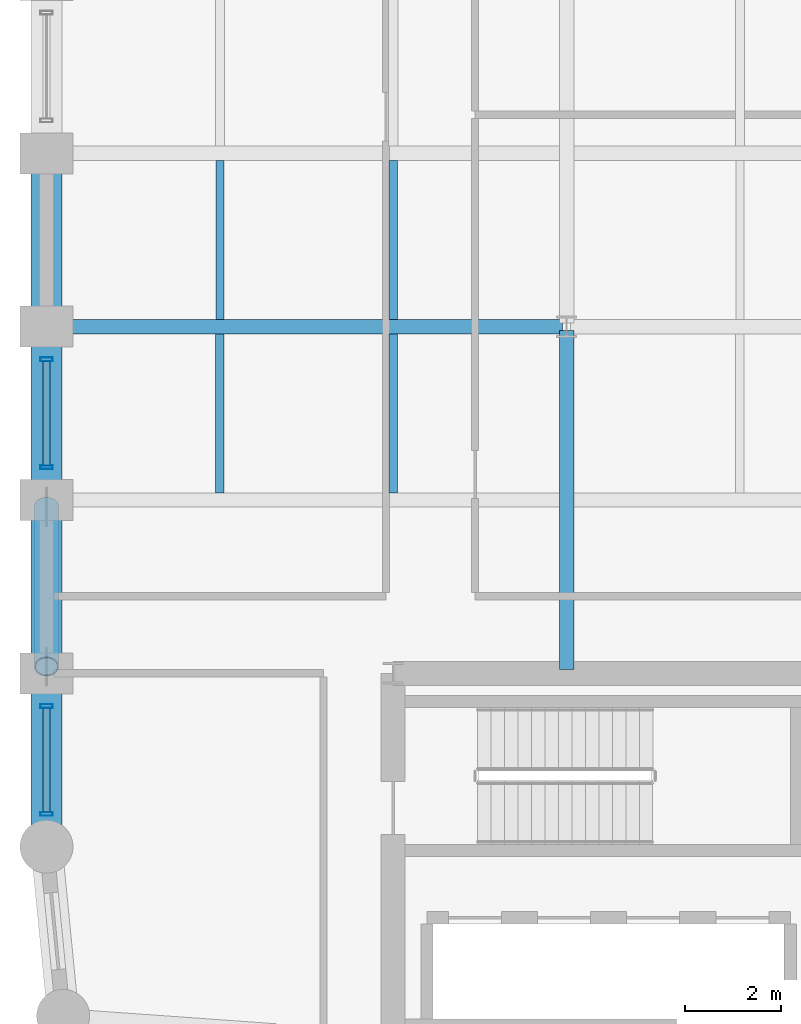
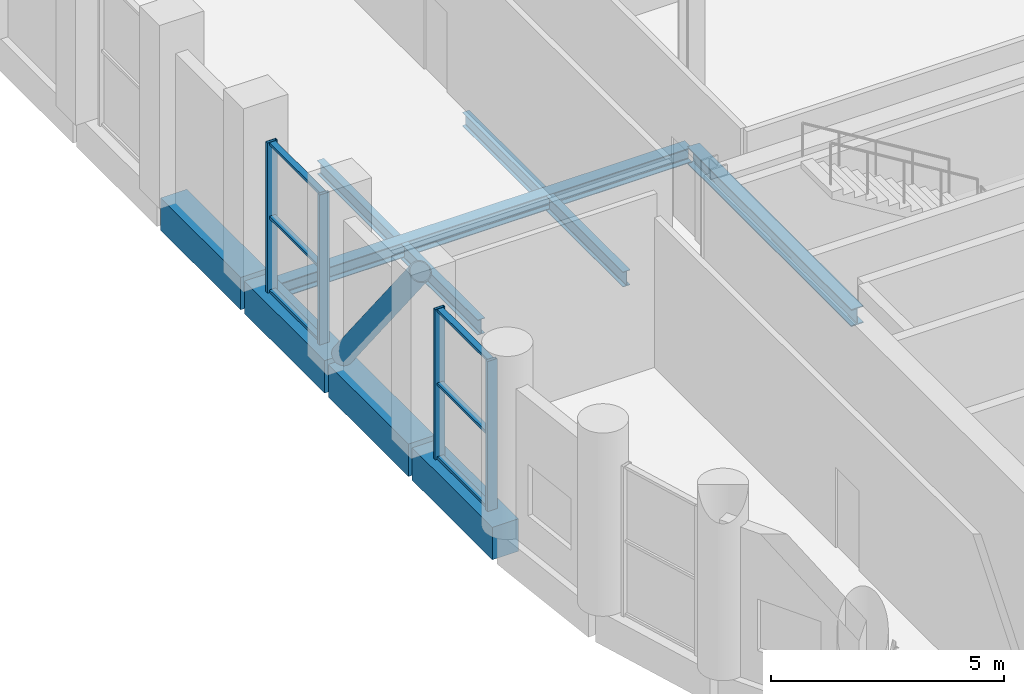
# One storey, part 5 of 22: 11 members, 10 beams, 2 elements without a shape of their own.
"""IFC4 building model written with IfcOpenShell, lengths in metres."""

from ifc_helpers import new_model, si_unit, direction, frame, origin, origin_2d, place, context, subcontext, project, spatial, rectangle, hollow_rectangle, hollow_circle, i_section, extrude, material, layer, layer_set, material_profile, profile_set, type_object, element, aggregate, save


model = new_model("IFC4")

# Units and contexts
model_context = context("Model", 3, precision=1e-05, world=origin(), true_north=direction((0.0, 1.0)))
body_context = subcontext(model_context, "Body", "Model", "MODEL_VIEW")
ifc_project = project(units=[si_unit("LENGTHUNIT", "METRE"), si_unit("AREAUNIT", "SQUARE_METRE"), si_unit("VOLUMEUNIT", "CUBIC_METRE"), si_unit("PLANEANGLEUNIT", "RADIAN"), si_unit("MASSUNIT", "GRAM", prefix="KILO")], contexts=[model_context])

# Site, building, storey
site_placement = place(None, origin())
site = spatial("IfcSite", under=ifc_project, at=site_placement, CompositionType="ELEMENT")
building_placement = place(site_placement, origin())
building = spatial("IfcBuilding", under=site, at=building_placement, Name="Solnavia Interchange Tower", CompositionType="ELEMENT")
storey_placement = place(building_placement, frame((0.0, 0.0, 115.199951171875)))
storey = spatial("IfcBuildingStorey", under=building, at=storey_placement, Name="L28", CompositionType="ELEMENT", Elevation=115.199951171875)

# Beams
ifc_material_1 = material(Name="Steel S460", Category="steel")
ifc_material_profile_1 = material_profile(ifc_material_1, i_section(OverallWidth=0.300048828125, OverallDepth=0.449951171875, WebThickness=0.013916015625, FlangeThickness=0.02587890625, FilletRadius=0.027099609375, at=origin_2d()), Name="HEB 450")
ifc_profile_set_1 = profile_set([ifc_material_profile_1], Name="Steel S460")
beam_type_1 = type_object("IfcBeamType", Name="Beam-Girder-HEB450", PredefinedType="BEAM", material=ifc_profile_set_1)
beam_1_placement = place(storey_placement, frame((18.0, 25.280029296875, -0.544921875), z_axis=(0.0, 1.0, 0.0), x_axis=(-1.0, 0.0, 0.0)))
element("IfcBeam", 1, at=beam_1_placement, inside=storey, type_object=beam_type_1, Name="GRD-L28-NS11 North wing spine girder", PredefinedType="BEAM", context=body_context, shape_type="SweptSolid", body=[
    extrude(i_section(OverallWidth=0.300048828125, OverallDepth=0.449951171875, WebThickness=0.013916015625, FlangeThickness=0.02587890625, FilletRadius=0.027099609375, at=origin_2d()), origin(), (0.0, 0.0, 1.0), 7.0400390625),
])
ifc_material_2 = material(Name="Steel S355", Category="steel")
ifc_material_profile_2 = material_profile(ifc_material_2, i_section(OverallWidth=0.169921875, OverallDepth=0.360107421875, WebThickness=0.008056640625, FlangeThickness=0.0126953125, FilletRadius=0.01806640625, at=origin_2d()), Name="IPE 360")
ifc_profile_set_2 = profile_set([ifc_material_profile_2], Name="Steel S355")
beam_type_2 = type_object("IfcBeamType", Name="Beam-Joist-IPE360", PredefinedType="JOIST", material=ifc_profile_set_2)
for number, where, z_axis, x_axis, name in (
    (2, (10.800048828125, 32.550048828125, -0.5), (0.0, 1.0, 0.0), (-1.0, 0.0, 0.0), "JST-L28-N18 North wing secondary joist"),
    (3, (14.39990234375, 32.550048828125, -0.5), (0.0, 1.0, 0.0), (-1.0, 0.0, 0.0), "JST-L28-N21 North wing secondary joist"),
):
    element("IfcBeam", number, at=place(storey_placement, frame(where, z_axis=z_axis, x_axis=x_axis)), inside=storey, type_object=beam_type_2, Name=name, PredefinedType="JOIST", context=body_context, shape_type="SweptSolid", body=[
        extrude(i_section(OverallWidth=0.169921875, OverallDepth=0.360107421875, WebThickness=0.008056640625, FlangeThickness=0.0126953125, FilletRadius=0.01806640625, at=origin_2d()), origin(), (0.0, 0.0, 1.0), 3.300048828125),
    ])
ifc_material_profile_3 = material_profile(ifc_material_2, i_section(OverallWidth=0.179931640625, OverallDepth=0.39990234375, WebThickness=0.008544921875, FlangeThickness=0.013427734375, FilletRadius=0.02099609375, at=origin_2d()), Name="IPE 400")
ifc_profile_set_3 = profile_set([ifc_material_profile_3], Name="Steel S355")
beam_type_3 = type_object("IfcBeamType", Name="Beam-Joist-IPE400", PredefinedType="JOIST", material=ifc_profile_set_3)
for number, where, z_axis, x_axis, name in (
    (4, (10.800048828125, 28.949951171875, -0.52001953125), (0.0, 1.0, 0.0), (-1.0, 0.0, 0.0), "JST-L28-N17 North wing secondary joist"),
    (5, (14.39990234375, 28.949951171875, -0.52001953125), (0.0, 1.0, 0.0), (-1.0, 0.0, 0.0), "JST-L28-N20 North wing secondary joist"),
):
    element("IfcBeam", number, at=place(storey_placement, frame(where, z_axis=z_axis, x_axis=x_axis)), inside=storey, type_object=beam_type_3, Name=name, PredefinedType="JOIST", context=body_context, shape_type="SweptSolid", body=[
        extrude(i_section(OverallWidth=0.179931640625, OverallDepth=0.39990234375, WebThickness=0.008544921875, FlangeThickness=0.013427734375, FilletRadius=0.02099609375, at=origin_2d()), origin(), (0.0, 0.0, 1.0), 3.300048828125),
    ])
ifc_material_profile_4 = material_profile(ifc_material_2, i_section(OverallWidth=0.300048828125, OverallDepth=0.389892578125, WebThickness=0.010986328125, FlangeThickness=0.01904296875, FilletRadius=0.027099609375, at=origin_2d()), Name="HEA 400")
ifc_profile_set_4 = profile_set([ifc_material_profile_4], Name="Steel S355")
beam_type_4 = type_object("IfcBeamType", Name="Beam-Primary-HEA400", PredefinedType="BEAM", material=ifc_profile_set_4)
beam_2_placement = place(storey_placement, frame((7.280029296875, 32.39990234375, -0.514892578125), z_axis=(1.0, 0.0, 0.0), x_axis=(0.0, 1.0, 0.0)))
element("IfcBeam", 6, at=beam_2_placement, inside=storey, type_object=beam_type_4, Name="GRD-L28-NW15 North wing primary floor girder", PredefinedType="BEAM", context=body_context, shape_type="SweptSolid", body=[
    extrude(i_section(OverallWidth=0.300048828125, OverallDepth=0.389892578125, WebThickness=0.010986328125, FlangeThickness=0.01904296875, FilletRadius=0.027099609375, at=origin_2d()), origin(), (0.0, 0.0, 1.0), 10.639892578125),
])
ifc_material_3 = material(Name="Concrete C50/60", Category="concrete")
ifc_material_profile_5 = material_profile(ifc_material_3, rectangle(XDim=0.64990234375, YDim=0.85009765625, at=origin_2d()), Name="RC 650x850")
ifc_profile_set_5 = profile_set([ifc_material_profile_5], Name="Concrete C50/60")
beam_type_5 = type_object("IfcBeamType", Name="Beam-Spandrel-RC650x850", PredefinedType="SPANDREL", material=ifc_profile_set_5)
beam_3_placement = place(storey_placement, frame((7.199951171875, 35.919921875, -0.425048828125), z_axis=(0.0, -1.0, 0.0), x_axis=(1.0, 0.0, 0.0)))
element("IfcBeam", 7, at=beam_3_placement, inside=storey, type_object=beam_type_5, Name="SPB-L28-37 Framed-tube perimeter spandrel beam", PredefinedType="SPANDREL", context=body_context, shape_type="SweptSolid", body=[
    extrude(rectangle(XDim=0.64990234375, YDim=0.85009765625, at=origin_2d()), origin(), (0.0, 0.0, 1.0), 3.43994140625),
])
beam_4_placement = place(storey_placement, frame((7.199951171875, 32.320068359375, -0.425048828125), z_axis=(0.0, -1.0, 0.0), x_axis=(1.0, 0.0, 0.0)))
element("IfcBeam", 8, at=beam_4_placement, inside=storey, type_object=beam_type_5, Name="SPB-L28-38 Framed-tube perimeter spandrel beam", PredefinedType="SPANDREL", context=body_context, shape_type="SweptSolid", body=[
    extrude(rectangle(XDim=0.64990234375, YDim=0.85009765625, at=origin_2d()), origin(), (0.0, 0.0, 1.0), 3.440185546875),
])
beam_5_placement = place(storey_placement, frame((7.199951171875, 28.719970703125, -0.425048828125), z_axis=(0.0, -1.0, 0.0), x_axis=(1.0, 0.0, 0.0)))
element("IfcBeam", 9, at=beam_5_placement, inside=storey, type_object=beam_type_5, Name="SPB-L28-39 Framed-tube perimeter spandrel beam", PredefinedType="SPANDREL", context=body_context, shape_type="SweptSolid", body=[
    extrude(rectangle(XDim=0.64990234375, YDim=0.85009765625, at=origin_2d()), origin(), (0.0, 0.0, 1.0), 3.43994140625),
])
beam_6_placement = place(storey_placement, frame((7.199951171875, 25.1201171875, -0.425048828125), z_axis=(0.0, -1.0, 0.0), x_axis=(1.0, 0.0, 0.0)))
element("IfcBeam", 10, at=beam_6_placement, inside=storey, type_object=beam_type_5, Name="SPB-L28-40 Framed-tube perimeter spandrel beam", PredefinedType="SPANDREL", context=body_context, shape_type="SweptSolid", body=[
    extrude(rectangle(XDim=0.64990234375, YDim=0.85009765625, at=origin_2d()), origin(), (0.0, 0.0, 1.0), 3.440185546875),
])

# Member
ifc_material_profile_6 = material_profile(ifc_material_1, hollow_circle(Radius=0.25390625, WallThickness=0.02490234375, at=origin_2d()), Name="CHS 508x25")
ifc_profile_set_6 = profile_set([ifc_material_profile_6], Name="Steel S460")
member_type_1 = type_object("IfcMemberType", Name="Brace-Perim-CHS508", PredefinedType="BRACE", material=ifc_profile_set_6)
member_1_placement = place(storey_placement, frame((7.199951171875, 28.659912109375, 0.179931640625), z_axis=(0.0, -0.621001182941, 0.783809626623), x_axis=(1.0, 0.0, 0.0)))
element("IfcMember", 11, at=member_1_placement, inside=storey, type_object=member_type_1, Name="BRC-L28-02 Perimeter tube diagonal brace", PredefinedType="BRACE", context=body_context, shape_type="SweptSolid", body=[
    extrude(hollow_circle(Radius=0.25390625, WallThickness=0.02490234375, at=origin_2d()), origin(), (0.0, 0.0, 1.0), 5.345947265625),
])

# Curtain wall, members
ifc_material_4 = material(Name="Aluminium Alloy 6063-T6", Category="aluminium")
ifc_layer = layer(ifc_material_4, 0.27001953125)
ifc_layer_set = layer_set([ifc_layer], Name="Aluminium Alloy 6063-T6")
curtain_wall_type = type_object("IfcCurtainWallType", Name="CurtainWall-SkyLobby-CTW4", PredefinedType="NOTDEFINED", material=ifc_layer_set)
curtain_wall_1_placement = place(storey_placement, origin())
curtain_wall_1 = element("IfcCurtainWall", 12, at=curtain_wall_1_placement, inside=storey, type_object=curtain_wall_type, Name="CTW-L28-S52 CTW-4 curtain wall", PredefinedType="NOTDEFINED")
ifc_material_profile_7 = material_profile(ifc_material_4, hollow_rectangle(XDim=0.080078125, YDim=0.25, WallThickness=0.006103515625, at=origin_2d()), Name="ALU 250x80x6")
ifc_profile_set_7 = profile_set([ifc_material_profile_7], Name="Aluminium Alloy 6063-T6")
member_type_2 = type_object("IfcMemberType", Name="CW-Mullion-CWM-4", PredefinedType="MULLION", material=ifc_profile_set_7)
member_2_placement = place(storey_placement, frame((7.199951171875, 31.719970703125, 0.0), z_axis=(0.0, 0.0, 1.0), x_axis=(0.0, -1.0, 0.0)))
member_2 = element("IfcMember", 13, at=member_2_placement, type_object=member_type_2, Name="CTW-4 mullion 1", PredefinedType="MULLION", context=body_context, shape_type="SweptSolid", body=[
    extrude(hollow_rectangle(XDim=0.080078125, YDim=0.25, WallThickness=0.006103515625, at=origin_2d()), origin(), (0.0, 0.0, 1.0), 3.929931640625),
])
member_3_placement = place(storey_placement, frame((7.199951171875, 29.47998046875, 0.0), z_axis=(0.0, 0.0, 1.0), x_axis=(0.0, -1.0, 0.0)))
member_3 = element("IfcMember", 14, at=member_3_placement, type_object=member_type_2, Name="CTW-4 mullion 2", PredefinedType="MULLION", context=body_context, shape_type="SweptSolid", body=[
    extrude(hollow_rectangle(XDim=0.080078125, YDim=0.25, WallThickness=0.006103515625, at=origin_2d()), origin(), (0.0, 0.0, 1.0), 3.929931640625),
])

curtain_wall_2_placement = place(storey_placement, origin())
curtain_wall_2 = element("IfcCurtainWall", 15, at=curtain_wall_2_placement, inside=storey, type_object=curtain_wall_type, Name="CTW-L28-S54 CTW-4 curtain wall", PredefinedType="NOTDEFINED")
member_4_placement = place(storey_placement, frame((7.199951171875, 24.52001953125, 0.0), z_axis=(0.0, 0.0, 1.0), x_axis=(0.0, -1.0, 0.0)))
member_4 = element("IfcMember", 16, at=member_4_placement, type_object=member_type_2, Name="CTW-4 mullion 1", PredefinedType="MULLION", context=body_context, shape_type="SweptSolid", body=[
    extrude(hollow_rectangle(XDim=0.080078125, YDim=0.25, WallThickness=0.006103515625, at=origin_2d()), origin(), (0.0, 0.0, 1.0), 3.929931640625),
])
member_5_placement = place(storey_placement, frame((7.199951171875, 22.280029296875, 0.0), z_axis=(0.0, 0.0, 1.0), x_axis=(0.0, -1.0, 0.0)))
member_5 = element("IfcMember", 17, at=member_5_placement, type_object=member_type_2, Name="CTW-4 mullion 2", PredefinedType="MULLION", context=body_context, shape_type="SweptSolid", body=[
    extrude(hollow_rectangle(XDim=0.080078125, YDim=0.25, WallThickness=0.006103515625, at=origin_2d()), origin(), (0.0, 0.0, 1.0), 3.929931640625),
])

# Member
ifc_material_profile_8 = material_profile(ifc_material_4, hollow_rectangle(XDim=0.070068359375, YDim=0.14990234375, WallThickness=0.00439453125, at=origin_2d()), Name="ALU 150x70x4.5")
ifc_profile_set_8 = profile_set([ifc_material_profile_8], Name="Aluminium Alloy 6063-T6")
member_type_3 = type_object("IfcMemberType", Name="CW-Transom-CWT-4", PredefinedType="USERDEFINED", material=ifc_profile_set_8)
member_6_placement = place(storey_placement, frame((7.199951171875, 31.679931640625, 0.03515625), z_axis=(0.0, -1.0, 0.0), x_axis=(0.0, 0.0, 1.0)))
member_6 = element("IfcMember", 18, at=member_6_placement, type_object=member_type_3, Name="CTW-4 transom 1.1", ObjectType="TRANSOM", PredefinedType="USERDEFINED", context=body_context, shape_type="SweptSolid", body=[
    extrude(hollow_rectangle(XDim=0.070068359375, YDim=0.14990234375, WallThickness=0.00439453125, at=origin_2d()), origin(), (0.0, 0.0, 1.0), 2.159912109375),
])

member_7_placement = place(storey_placement, frame((7.199951171875, 31.679931640625, 1.965087890625), z_axis=(0.0, -1.0, 0.0), x_axis=(0.0, 0.0, 1.0)))
member_7 = element("IfcMember", 19, at=member_7_placement, type_object=member_type_3, Name="CTW-4 transom 1.2", ObjectType="TRANSOM", PredefinedType="USERDEFINED", context=body_context, shape_type="SweptSolid", body=[
    extrude(hollow_rectangle(XDim=0.070068359375, YDim=0.14990234375, WallThickness=0.00439453125, at=origin_2d()), origin(), (0.0, 0.0, 1.0), 2.159912109375),
])

member_8_placement = place(storey_placement, frame((7.199951171875, 31.679931640625, 3.89501953125), z_axis=(0.0, -1.0, 0.0), x_axis=(0.0, 0.0, 1.0)))
member_8 = element("IfcMember", 20, at=member_8_placement, type_object=member_type_3, Name="CTW-4 transom 1.3", ObjectType="TRANSOM", PredefinedType="USERDEFINED", context=body_context, shape_type="SweptSolid", body=[
    extrude(hollow_rectangle(XDim=0.070068359375, YDim=0.14990234375, WallThickness=0.00439453125, at=origin_2d()), origin(), (0.0, 0.0, 1.0), 2.159912109375),
])

aggregate(curtain_wall_1, [member_2, member_3, member_6, member_7, member_8])

member_9_placement = place(storey_placement, frame((7.199951171875, 24.47998046875, 0.03515625), z_axis=(0.0, -1.0, 0.0), x_axis=(0.0, 0.0, 1.0)))
member_9 = element("IfcMember", 21, at=member_9_placement, type_object=member_type_3, Name="CTW-4 transom 1.1", ObjectType="TRANSOM", PredefinedType="USERDEFINED", context=body_context, shape_type="SweptSolid", body=[
    extrude(hollow_rectangle(XDim=0.070068359375, YDim=0.14990234375, WallThickness=0.00439453125, at=origin_2d()), origin(), (0.0, 0.0, 1.0), 2.159912109375),
])

member_10_placement = place(storey_placement, frame((7.199951171875, 24.47998046875, 1.965087890625), z_axis=(0.0, -1.0, 0.0), x_axis=(0.0, 0.0, 1.0)))
member_10 = element("IfcMember", 22, at=member_10_placement, type_object=member_type_3, Name="CTW-4 transom 1.2", ObjectType="TRANSOM", PredefinedType="USERDEFINED", context=body_context, shape_type="SweptSolid", body=[
    extrude(hollow_rectangle(XDim=0.070068359375, YDim=0.14990234375, WallThickness=0.00439453125, at=origin_2d()), origin(), (0.0, 0.0, 1.0), 2.159912109375),
])

member_11_placement = place(storey_placement, frame((7.199951171875, 24.47998046875, 3.89501953125), z_axis=(0.0, -1.0, 0.0), x_axis=(0.0, 0.0, 1.0)))
member_11 = element("IfcMember", 23, at=member_11_placement, type_object=member_type_3, Name="CTW-4 transom 1.3", ObjectType="TRANSOM", PredefinedType="USERDEFINED", context=body_context, shape_type="SweptSolid", body=[
    extrude(hollow_rectangle(XDim=0.070068359375, YDim=0.14990234375, WallThickness=0.00439453125, at=origin_2d()), origin(), (0.0, 0.0, 1.0), 2.159912109375),
])

aggregate(curtain_wall_2, [member_4, member_5, member_9, member_10, member_11])

save(model, "model.ifc")
